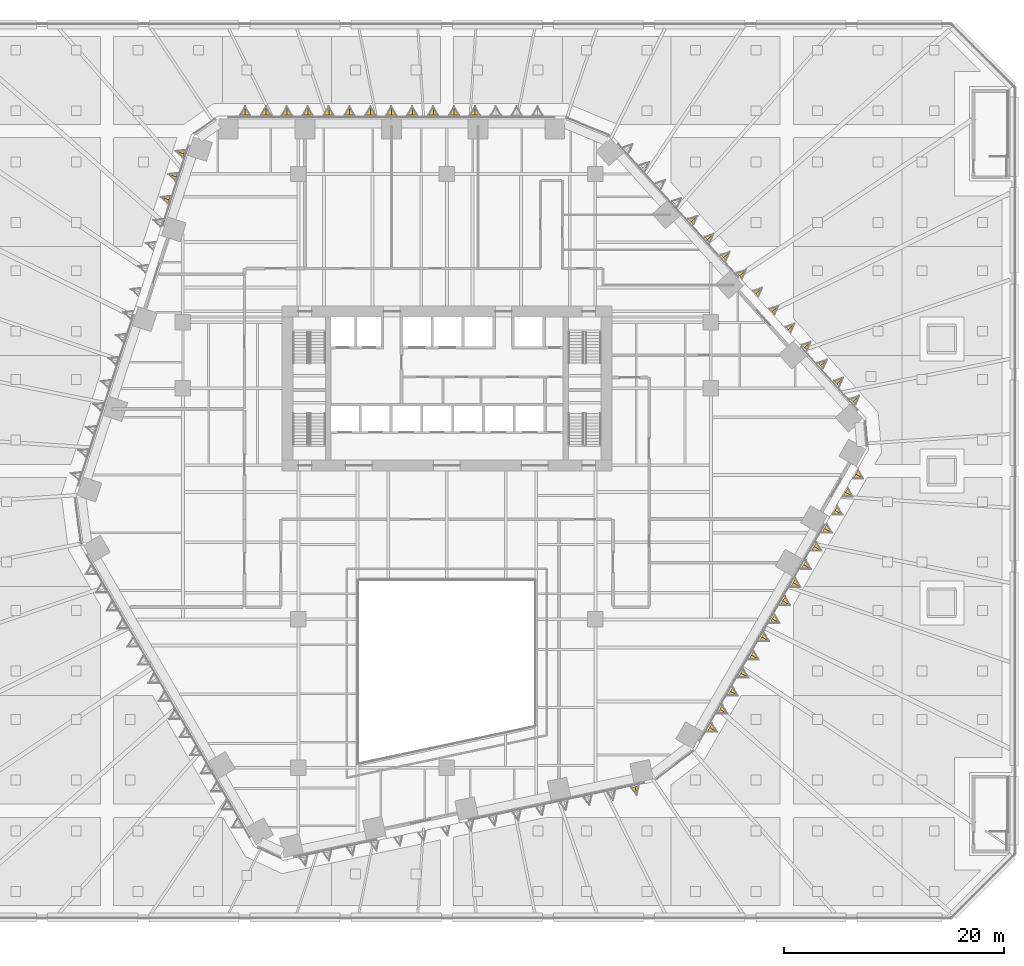
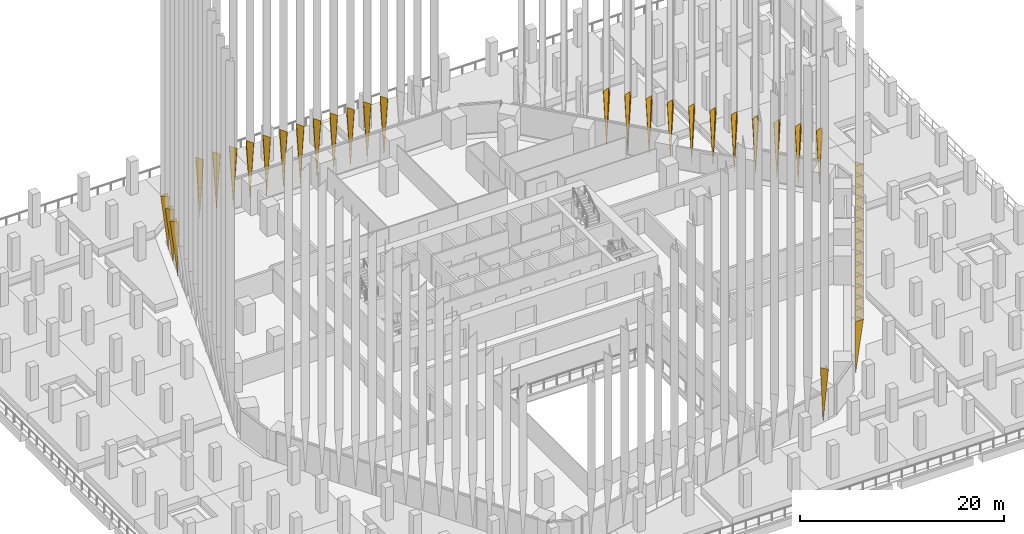
# One storey, part 48 of 51: 42 coverings.
"""IFC4 building model written with IfcOpenShell, lengths in metres."""

from ifc_helpers import new_model, si_unit, direction, frame, origin, place, context, subcontext, project, spatial, polyline, outline, faceted_brep, material, material_profile, profile_set, type_object, element, save


model = new_model("IFC4")

# Units and contexts
model_context = context("Model", 3, precision=1e-05, world=origin(), true_north=direction((0.0, 1.0)))
body_context = subcontext(model_context, "Body", "Model", "MODEL_VIEW")
ifc_project = project(units=[si_unit("LENGTHUNIT", "METRE"), si_unit("AREAUNIT", "SQUARE_METRE"), si_unit("VOLUMEUNIT", "CUBIC_METRE"), si_unit("PLANEANGLEUNIT", "RADIAN"), si_unit("MASSUNIT", "GRAM", prefix="KILO")], contexts=[model_context])

# Site, building, storey
site_placement = place(None, origin())
site = spatial("IfcSite", under=ifc_project, at=site_placement, CompositionType="ELEMENT")
building_placement = place(site_placement, origin())
building = spatial("IfcBuilding", under=site, at=building_placement, Name="Isthmus Gate Tower", CompositionType="ELEMENT")
storey_placement = place(building_placement, frame((0.0, 0.0, 36.0)))
storey = spatial("IfcBuildingStorey", under=building, at=storey_placement, Name="L06", CompositionType="ELEMENT", Elevation=36.0)

# Coverings
ifc_material_1 = material(Name="Structural steel ASTM A572 Gr 50, white paint system", Category="steel")
ifc_material_profile_1 = material_profile(ifc_material_1, outline(polyline([(0.0, -0.356201171875), (0.800048828125, 0.0), (0.0, 0.356201171875), (0.0, 0.3232421875), (0.726318359375, 0.0), (0.0, -0.3232421875), (0.0, -0.356201171875)])), Name="V800")
ifc_profile_set_1 = profile_set([ifc_material_profile_1], Name="Structural steel ASTM A572 Gr 50, white paint system")
covering_type_1 = type_object("IfcCoveringType", Name="FIN V 800 DEEP FOOT", PredefinedType="CLADDING", material=ifc_profile_set_1)
covering_1_placement = place(storey_placement, frame((0.0, 0.0, -36.0)))
element("IfcCovering", 1, at=covering_1_placement, inside=storey, type_object=covering_type_1, Name="FIN", ObjectType="FIN", PredefinedType="CLADDING", context=body_context, shape_type="Brep", body=[
    faceted_brep([(-23.801513671875, 29.17041015625, 42.89990234375), (-24.67236328125, 29.078857421875, 42.89990234375), (-24.021728515625, 28.49267578125, 42.89990234375), (-24.011474609375, 28.52392578125, 42.89990234375), (-24.602294921875, 29.055908203125, 42.89990234375), (-23.811767578125, 29.13916015625, 42.89990234375), (-23.91162109375, 28.83154296875, 36.10009765625)], [[[0, 1, 2, 3, 4, 5]], [[1, 0, 6]], [[2, 1, 6]], [[3, 2, 6]], [[4, 3, 6]], [[5, 4, 6]], [[0, 5, 6]]]),
])
covering_2_placement = place(storey_placement, frame((0.0, 0.0, -36.0)))
element("IfcCovering", 2, at=covering_2_placement, inside=storey, type_object=covering_type_1, Name="FIN", ObjectType="FIN", PredefinedType="CLADDING", context=body_context, shape_type="Brep", body=[
    faceted_brep([(-24.4814453125, 27.078125, 42.89990234375), (-25.352294921875, 26.986572265625, 42.89990234375), (-24.70166015625, 26.400390625, 42.89990234375), (-24.69140625, 26.431640625, 42.89990234375), (-25.2822265625, 26.963623046875, 42.89990234375), (-24.49169921875, 27.046875, 42.89990234375), (-24.591552734375, 26.7392578125, 36.10009765625)], [[[0, 1, 2, 3, 4, 5]], [[1, 0, 6]], [[2, 1, 6]], [[3, 2, 6]], [[4, 3, 6]], [[5, 4, 6]], [[0, 5, 6]]]),
])
covering_3_placement = place(storey_placement, frame((0.0, 0.0, -36.0)))
element("IfcCovering", 3, at=covering_3_placement, inside=storey, type_object=covering_type_1, Name="FIN", ObjectType="FIN", PredefinedType="CLADDING", context=body_context, shape_type="Brep", body=[
    faceted_brep([(-25.1611328125, 24.985595703125, 42.89990234375), (-26.031982421875, 24.89404296875, 42.89990234375), (-25.38134765625, 24.307861328125, 42.89990234375), (-25.37109375, 24.339111328125, 42.89990234375), (-25.9619140625, 24.87109375, 42.89990234375), (-25.17138671875, 24.954345703125, 42.89990234375), (-25.271240234375, 24.646728515625, 36.10009765625)], [[[0, 1, 2, 3, 4, 5]], [[1, 0, 6]], [[2, 1, 6]], [[3, 2, 6]], [[4, 3, 6]], [[5, 4, 6]], [[0, 5, 6]]]),
])
covering_4_placement = place(storey_placement, frame((0.0, 0.0, -36.0)))
element("IfcCovering", 4, at=covering_4_placement, inside=storey, type_object=covering_type_1, Name="FIN", ObjectType="FIN", PredefinedType="CLADDING", context=body_context, shape_type="Brep", body=[
    faceted_brep([(16.765625, -28.794189453125, 42.89990234375), (17.2802734375, -29.502685546875, 42.89990234375), (17.46240234375, -28.646240234375, 42.89990234375), (17.43017578125, -28.653076171875, 42.89990234375), (17.264892578125, -29.4306640625, 42.89990234375), (16.7978515625, -28.787353515625, 42.89990234375), (17.114013671875, -28.72021484375, 36.10009765625)], [[[0, 1, 2, 3, 4, 5]], [[1, 0, 6]], [[2, 1, 6]], [[3, 2, 6]], [[4, 3, 6]], [[5, 4, 6]], [[0, 5, 6]]]),
])
covering_5_placement = place(storey_placement, frame((0.0, 0.0, -36.0)))
element("IfcCovering", 5, at=covering_5_placement, inside=storey, type_object=covering_type_1, Name="FIN", ObjectType="FIN", PredefinedType="CLADDING", context=body_context, shape_type="Brep", body=[
    faceted_brep([(37.162841796875, 6.027587890625, 42.89990234375), (37.51904296875, 6.82763671875, 42.89990234375), (36.686279296875, 6.556884765625, 42.89990234375), (36.708251953125, 6.532470703125, 42.89990234375), (37.46435546875, 6.778076171875, 42.89990234375), (37.140869140625, 6.052001953125, 42.89990234375), (36.924560546875, 6.292236328125, 36.10009765625)], [[[0, 1, 2, 3, 4, 5]], [[1, 0, 6]], [[2, 1, 6]], [[3, 2, 6]], [[4, 3, 6]], [[5, 4, 6]], [[0, 5, 6]]]),
])
covering_6_placement = place(storey_placement, frame((0.0, 0.0, -36.0)))
element("IfcCovering", 6, at=covering_6_placement, inside=storey, type_object=covering_type_1, Name="FIN", ObjectType="FIN", PredefinedType="CLADDING", context=body_context, shape_type="Brep", body=[
    faceted_brep([(35.69091796875, 7.66259765625, 42.89990234375), (36.047119140625, 8.462646484375, 42.89990234375), (35.21435546875, 8.19189453125, 42.89990234375), (35.236328125, 8.16748046875, 42.89990234375), (35.992431640625, 8.4130859375, 42.89990234375), (35.6689453125, 7.68701171875, 42.89990234375), (35.45263671875, 7.92724609375, 36.10009765625)], [[[0, 1, 2, 3, 4, 5]], [[1, 0, 6]], [[2, 1, 6]], [[3, 2, 6]], [[4, 3, 6]], [[5, 4, 6]], [[0, 5, 6]]]),
])
covering_7_placement = place(storey_placement, frame((0.0, 0.0, -36.0)))
element("IfcCovering", 7, at=covering_7_placement, inside=storey, type_object=covering_type_1, Name="FIN", ObjectType="FIN", PredefinedType="CLADDING", context=body_context, shape_type="Brep", body=[
    faceted_brep([(34.21875, 9.297607421875, 42.89990234375), (34.574951171875, 10.09765625, 42.89990234375), (33.7421875, 9.826904296875, 42.89990234375), (33.76416015625, 9.802490234375, 42.89990234375), (34.520263671875, 10.048095703125, 42.89990234375), (34.19677734375, 9.322021484375, 42.89990234375), (33.98046875, 9.562255859375, 36.10009765625)], [[[0, 1, 2, 3, 4, 5]], [[1, 0, 6]], [[2, 1, 6]], [[3, 2, 6]], [[4, 3, 6]], [[5, 4, 6]], [[0, 5, 6]]]),
])
covering_8_placement = place(storey_placement, frame((0.0, 0.0, -36.0)))
element("IfcCovering", 8, at=covering_8_placement, inside=storey, type_object=covering_type_1, Name="FIN", ObjectType="FIN", PredefinedType="CLADDING", context=body_context, shape_type="Brep", body=[
    faceted_brep([(32.74658203125, 10.932373046875, 42.89990234375), (33.102783203125, 11.732421875, 42.89990234375), (32.27001953125, 11.461669921875, 42.89990234375), (32.2919921875, 11.437255859375, 42.89990234375), (33.048095703125, 11.682861328125, 42.89990234375), (32.724609375, 10.956787109375, 42.89990234375), (32.50830078125, 11.197021484375, 36.10009765625)], [[[0, 1, 2, 3, 4, 5]], [[1, 0, 6]], [[2, 1, 6]], [[3, 2, 6]], [[4, 3, 6]], [[5, 4, 6]], [[0, 5, 6]]]),
])
covering_9_placement = place(storey_placement, frame((0.0, 0.0, -36.0)))
element("IfcCovering", 9, at=covering_9_placement, inside=storey, type_object=covering_type_1, Name="FIN", ObjectType="FIN", PredefinedType="CLADDING", context=body_context, shape_type="Brep", body=[
    faceted_brep([(31.2744140625, 12.5673828125, 42.89990234375), (31.630615234375, 13.367431640625, 42.89990234375), (30.7978515625, 13.0966796875, 42.89990234375), (30.81982421875, 13.072265625, 42.89990234375), (31.575927734375, 13.31787109375, 42.89990234375), (31.25244140625, 12.591796875, 42.89990234375), (31.0361328125, 12.83203125, 36.10009765625)], [[[0, 1, 2, 3, 4, 5]], [[1, 0, 6]], [[2, 1, 6]], [[3, 2, 6]], [[4, 3, 6]], [[5, 4, 6]], [[0, 5, 6]]]),
])
covering_10_placement = place(storey_placement, frame((0.0, 0.0, -36.0)))
element("IfcCovering", 10, at=covering_10_placement, inside=storey, type_object=covering_type_1, Name="FIN", ObjectType="FIN", PredefinedType="CLADDING", context=body_context, shape_type="Brep", body=[
    faceted_brep([(29.802490234375, 14.202392578125, 42.89990234375), (30.15869140625, 15.00244140625, 42.89990234375), (29.325927734375, 14.731689453125, 42.89990234375), (29.347900390625, 14.707275390625, 42.89990234375), (30.10400390625, 14.952880859375, 42.89990234375), (29.780517578125, 14.226806640625, 42.89990234375), (29.564208984375, 14.467041015625, 36.10009765625)], [[[0, 1, 2, 3, 4, 5]], [[1, 0, 6]], [[2, 1, 6]], [[3, 2, 6]], [[4, 3, 6]], [[5, 4, 6]], [[0, 5, 6]]]),
])
covering_11_placement = place(storey_placement, frame((0.0, 0.0, -36.0)))
element("IfcCovering", 11, at=covering_11_placement, inside=storey, type_object=covering_type_1, Name="FIN", ObjectType="FIN", PredefinedType="CLADDING", context=body_context, shape_type="Brep", body=[
    faceted_brep([(28.330322265625, 15.837158203125, 42.89990234375), (28.6865234375, 16.63720703125, 42.89990234375), (27.853759765625, 16.366455078125, 42.89990234375), (27.875732421875, 16.342041015625, 42.89990234375), (28.6318359375, 16.587646484375, 42.89990234375), (28.308349609375, 15.861572265625, 42.89990234375), (28.092041015625, 16.101806640625, 36.10009765625)], [[[0, 1, 2, 3, 4, 5]], [[1, 0, 6]], [[2, 1, 6]], [[3, 2, 6]], [[4, 3, 6]], [[5, 4, 6]], [[0, 5, 6]]]),
])
covering_12_placement = place(storey_placement, frame((0.0, 0.0, -36.0)))
element("IfcCovering", 12, at=covering_12_placement, inside=storey, type_object=covering_type_1, Name="FIN", ObjectType="FIN", PredefinedType="CLADDING", context=body_context, shape_type="Brep", body=[
    faceted_brep([(26.858154296875, 17.47216796875, 42.89990234375), (27.21435546875, 18.272216796875, 42.89990234375), (26.381591796875, 18.00146484375, 42.89990234375), (26.403564453125, 17.97705078125, 42.89990234375), (27.15966796875, 18.22265625, 42.89990234375), (26.836181640625, 17.49658203125, 42.89990234375), (26.619873046875, 17.73681640625, 36.10009765625)], [[[0, 1, 2, 3, 4, 5]], [[1, 0, 6]], [[2, 1, 6]], [[3, 2, 6]], [[4, 3, 6]], [[5, 4, 6]], [[0, 5, 6]]]),
])
covering_13_placement = place(storey_placement, frame((0.0, 0.0, -36.0)))
element("IfcCovering", 13, at=covering_13_placement, inside=storey, type_object=covering_type_1, Name="FIN", ObjectType="FIN", PredefinedType="CLADDING", context=body_context, shape_type="Brep", body=[
    faceted_brep([(25.38623046875, 19.10693359375, 42.89990234375), (25.742431640625, 19.906982421875, 42.89990234375), (24.90966796875, 19.63623046875, 42.89990234375), (24.931640625, 19.61181640625, 42.89990234375), (25.687744140625, 19.857421875, 42.89990234375), (25.3642578125, 19.13134765625, 42.89990234375), (25.14794921875, 19.37158203125, 36.10009765625)], [[[0, 1, 2, 3, 4, 5]], [[1, 0, 6]], [[2, 1, 6]], [[3, 2, 6]], [[4, 3, 6]], [[5, 4, 6]], [[0, 5, 6]]]),
])
covering_14_placement = place(storey_placement, frame((0.0, 0.0, -36.0)))
element("IfcCovering", 14, at=covering_14_placement, inside=storey, type_object=covering_type_1, Name="FIN", ObjectType="FIN", PredefinedType="CLADDING", context=body_context, shape_type="Brep", body=[
    faceted_brep([(23.9140625, 20.741943359375, 42.89990234375), (24.270263671875, 21.5419921875, 42.89990234375), (23.4375, 21.271240234375, 42.89990234375), (23.45947265625, 21.246826171875, 42.89990234375), (24.215576171875, 21.492431640625, 42.89990234375), (23.89208984375, 20.766357421875, 42.89990234375), (23.67578125, 21.006591796875, 36.10009765625)], [[[0, 1, 2, 3, 4, 5]], [[1, 0, 6]], [[2, 1, 6]], [[3, 2, 6]], [[4, 3, 6]], [[5, 4, 6]], [[0, 5, 6]]]),
])
covering_15_placement = place(storey_placement, frame((0.0, 0.0, -36.0)))
element("IfcCovering", 15, at=covering_15_placement, inside=storey, type_object=covering_type_1, Name="FIN", ObjectType="FIN", PredefinedType="CLADDING", context=body_context, shape_type="Brep", body=[
    faceted_brep([(22.44189453125, 22.376953125, 42.89990234375), (22.798095703125, 23.177001953125, 42.89990234375), (21.96533203125, 22.90625, 42.89990234375), (21.9873046875, 22.8818359375, 42.89990234375), (22.743408203125, 23.12744140625, 42.89990234375), (22.419921875, 22.4013671875, 42.89990234375), (22.20361328125, 22.6416015625, 36.10009765625)], [[[0, 1, 2, 3, 4, 5]], [[1, 0, 6]], [[2, 1, 6]], [[3, 2, 6]], [[4, 3, 6]], [[5, 4, 6]], [[0, 5, 6]]]),
])
ifc_material_2 = material(Name="Structural steel ASTM A572 Gr 50, white paint system", Category="steel")
ifc_material_profile_2 = material_profile(ifc_material_2, outline(polyline([(0.0, -0.4619140625), (0.800048828125, 0.0), (0.0, 0.4619140625), (0.0, 0.42724609375), (0.739990234375, 0.0), (0.0, -0.42724609375), (0.0, -0.4619140625)])), Name="V800W")
ifc_profile_set_2 = profile_set([ifc_material_profile_2], Name="Structural steel ASTM A572 Gr 50, white paint system")
covering_type_2 = type_object("IfcCoveringType", Name="FIN V 800 DEEP WIDE FOOT", PredefinedType="CLADDING", material=ifc_profile_set_2)
covering_16_placement = place(storey_placement, frame((0.0, 0.0, -36.0)))
element("IfcCovering", 16, at=covering_16_placement, inside=storey, type_object=covering_type_2, Name="FIN", ObjectType="FIN", PredefinedType="CLADDING", context=body_context, shape_type="Brep", body=[
    faceted_brep([(3.024658203125, 32.35009765625, 42.89990234375), (2.562744140625, 33.150146484375, 42.89990234375), (2.100830078125, 32.35009765625, 42.89990234375), (2.135498046875, 32.35009765625, 42.89990234375), (2.562744140625, 33.090087890625, 42.89990234375), (2.989990234375, 32.35009765625, 42.89990234375), (2.562744140625, 32.35009765625, 36.10009765625)], [[[0, 1, 2, 3, 4, 5]], [[1, 0, 6]], [[2, 1, 6]], [[3, 2, 6]], [[4, 3, 6]], [[5, 4, 6]], [[0, 5, 6]]]),
])
covering_17_placement = place(storey_placement, frame((0.0, 0.0, -36.0)))
element("IfcCovering", 17, at=covering_17_placement, inside=storey, type_object=covering_type_2, Name="FIN", ObjectType="FIN", PredefinedType="CLADDING", context=body_context, shape_type="Brep", body=[
    faceted_brep([(1.124755859375, 32.35009765625, 42.89990234375), (0.662841796875, 33.150146484375, 42.89990234375), (0.200927734375, 32.35009765625, 42.89990234375), (0.235595703125, 32.35009765625, 42.89990234375), (0.662841796875, 33.090087890625, 42.89990234375), (1.090087890625, 32.35009765625, 42.89990234375), (0.662841796875, 32.35009765625, 36.10009765625)], [[[0, 1, 2, 3, 4, 5]], [[1, 0, 6]], [[2, 1, 6]], [[3, 2, 6]], [[4, 3, 6]], [[5, 4, 6]], [[0, 5, 6]]]),
])
covering_18_placement = place(storey_placement, frame((0.0, 0.0, -36.0)))
element("IfcCovering", 18, at=covering_18_placement, inside=storey, type_object=covering_type_2, Name="FIN", ObjectType="FIN", PredefinedType="CLADDING", context=body_context, shape_type="Brep", body=[
    faceted_brep([(-0.775390625, 32.35009765625, 42.89990234375), (-1.2373046875, 33.150146484375, 42.89990234375), (-1.69921875, 32.35009765625, 42.89990234375), (-1.66455078125, 32.35009765625, 42.89990234375), (-1.2373046875, 33.090087890625, 42.89990234375), (-0.81005859375, 32.35009765625, 42.89990234375), (-1.2373046875, 32.35009765625, 36.10009765625)], [[[0, 1, 2, 3, 4, 5]], [[1, 0, 6]], [[2, 1, 6]], [[3, 2, 6]], [[4, 3, 6]], [[5, 4, 6]], [[0, 5, 6]]]),
])
covering_19_placement = place(storey_placement, frame((0.0, 0.0, -36.0)))
element("IfcCovering", 19, at=covering_19_placement, inside=storey, type_object=covering_type_2, Name="FIN", ObjectType="FIN", PredefinedType="CLADDING", context=body_context, shape_type="Brep", body=[
    faceted_brep([(-2.67529296875, 32.35009765625, 42.89990234375), (-3.13720703125, 33.150146484375, 42.89990234375), (-3.59912109375, 32.35009765625, 42.89990234375), (-3.564453125, 32.35009765625, 42.89990234375), (-3.13720703125, 33.090087890625, 42.89990234375), (-2.7099609375, 32.35009765625, 42.89990234375), (-3.13720703125, 32.35009765625, 36.10009765625)], [[[0, 1, 2, 3, 4, 5]], [[1, 0, 6]], [[2, 1, 6]], [[3, 2, 6]], [[4, 3, 6]], [[5, 4, 6]], [[0, 5, 6]]]),
])
covering_20_placement = place(storey_placement, frame((0.0, 0.0, -36.0)))
element("IfcCovering", 20, at=covering_20_placement, inside=storey, type_object=covering_type_2, Name="FIN", ObjectType="FIN", PredefinedType="CLADDING", context=body_context, shape_type="Brep", body=[
    faceted_brep([(-4.5751953125, 32.35009765625, 42.89990234375), (-5.037109375, 33.150146484375, 42.89990234375), (-5.4990234375, 32.35009765625, 42.89990234375), (-5.46435546875, 32.35009765625, 42.89990234375), (-5.037109375, 33.090087890625, 42.89990234375), (-4.60986328125, 32.35009765625, 42.89990234375), (-5.037109375, 32.35009765625, 36.10009765625)], [[[0, 1, 2, 3, 4, 5]], [[1, 0, 6]], [[2, 1, 6]], [[3, 2, 6]], [[4, 3, 6]], [[5, 4, 6]], [[0, 5, 6]]]),
])
covering_21_placement = place(storey_placement, frame((0.0, 0.0, -36.0)))
element("IfcCovering", 21, at=covering_21_placement, inside=storey, type_object=covering_type_2, Name="FIN", ObjectType="FIN", PredefinedType="CLADDING", context=body_context, shape_type="Brep", body=[
    faceted_brep([(-6.475341796875, 32.35009765625, 42.89990234375), (-6.937255859375, 33.150146484375, 42.89990234375), (-7.399169921875, 32.35009765625, 42.89990234375), (-7.364501953125, 32.35009765625, 42.89990234375), (-6.937255859375, 33.090087890625, 42.89990234375), (-6.510009765625, 32.35009765625, 42.89990234375), (-6.937255859375, 32.35009765625, 36.10009765625)], [[[0, 1, 2, 3, 4, 5]], [[1, 0, 6]], [[2, 1, 6]], [[3, 2, 6]], [[4, 3, 6]], [[5, 4, 6]], [[0, 5, 6]]]),
])
covering_22_placement = place(storey_placement, frame((0.0, 0.0, -36.0)))
element("IfcCovering", 22, at=covering_22_placement, inside=storey, type_object=covering_type_2, Name="FIN", ObjectType="FIN", PredefinedType="CLADDING", context=body_context, shape_type="Brep", body=[
    faceted_brep([(-8.375244140625, 32.35009765625, 42.89990234375), (-8.837158203125, 33.150146484375, 42.89990234375), (-9.299072265625, 32.35009765625, 42.89990234375), (-9.264404296875, 32.35009765625, 42.89990234375), (-8.837158203125, 33.090087890625, 42.89990234375), (-8.409912109375, 32.35009765625, 42.89990234375), (-8.837158203125, 32.35009765625, 36.10009765625)], [[[0, 1, 2, 3, 4, 5]], [[1, 0, 6]], [[2, 1, 6]], [[3, 2, 6]], [[4, 3, 6]], [[5, 4, 6]], [[0, 5, 6]]]),
])
covering_23_placement = place(storey_placement, frame((0.0, 0.0, -36.0)))
element("IfcCovering", 23, at=covering_23_placement, inside=storey, type_object=covering_type_2, Name="FIN", ObjectType="FIN", PredefinedType="CLADDING", context=body_context, shape_type="Brep", body=[
    faceted_brep([(-10.275390625, 32.35009765625, 42.89990234375), (-10.7373046875, 33.150146484375, 42.89990234375), (-11.19921875, 32.35009765625, 42.89990234375), (-11.16455078125, 32.35009765625, 42.89990234375), (-10.7373046875, 33.090087890625, 42.89990234375), (-10.31005859375, 32.35009765625, 42.89990234375), (-10.7373046875, 32.35009765625, 36.10009765625)], [[[0, 1, 2, 3, 4, 5]], [[1, 0, 6]], [[2, 1, 6]], [[3, 2, 6]], [[4, 3, 6]], [[5, 4, 6]], [[0, 5, 6]]]),
])
covering_24_placement = place(storey_placement, frame((0.0, 0.0, -36.0)))
element("IfcCovering", 24, at=covering_24_placement, inside=storey, type_object=covering_type_2, Name="FIN", ObjectType="FIN", PredefinedType="CLADDING", context=body_context, shape_type="Brep", body=[
    faceted_brep([(-12.17529296875, 32.35009765625, 42.89990234375), (-12.63720703125, 33.150146484375, 42.89990234375), (-13.09912109375, 32.35009765625, 42.89990234375), (-13.064453125, 32.35009765625, 42.89990234375), (-12.63720703125, 33.090087890625, 42.89990234375), (-12.2099609375, 32.35009765625, 42.89990234375), (-12.63720703125, 32.35009765625, 36.10009765625)], [[[0, 1, 2, 3, 4, 5]], [[1, 0, 6]], [[2, 1, 6]], [[3, 2, 6]], [[4, 3, 6]], [[5, 4, 6]], [[0, 5, 6]]]),
])
covering_25_placement = place(storey_placement, frame((0.0, 0.0, -36.0)))
element("IfcCovering", 25, at=covering_25_placement, inside=storey, type_object=covering_type_2, Name="FIN", ObjectType="FIN", PredefinedType="CLADDING", context=body_context, shape_type="Brep", body=[
    faceted_brep([(-14.0751953125, 32.35009765625, 42.89990234375), (-14.537109375, 33.150146484375, 42.89990234375), (-14.9990234375, 32.35009765625, 42.89990234375), (-14.96435546875, 32.35009765625, 42.89990234375), (-14.537109375, 33.090087890625, 42.89990234375), (-14.10986328125, 32.35009765625, 42.89990234375), (-14.537109375, 32.35009765625, 36.10009765625)], [[[0, 1, 2, 3, 4, 5]], [[1, 0, 6]], [[2, 1, 6]], [[3, 2, 6]], [[4, 3, 6]], [[5, 4, 6]], [[0, 5, 6]]]),
])
covering_26_placement = place(storey_placement, frame((0.0, 0.0, -36.0)))
element("IfcCovering", 26, at=covering_26_placement, inside=storey, type_object=covering_type_2, Name="FIN", ObjectType="FIN", PredefinedType="CLADDING", context=body_context, shape_type="Brep", body=[
    faceted_brep([(-15.975341796875, 32.35009765625, 42.89990234375), (-16.437255859375, 33.150146484375, 42.89990234375), (-16.899169921875, 32.35009765625, 42.89990234375), (-16.864501953125, 32.35009765625, 42.89990234375), (-16.437255859375, 33.090087890625, 42.89990234375), (-16.010009765625, 32.35009765625, 42.89990234375), (-16.437255859375, 32.35009765625, 36.10009765625)], [[[0, 1, 2, 3, 4, 5]], [[1, 0, 6]], [[2, 1, 6]], [[3, 2, 6]], [[4, 3, 6]], [[5, 4, 6]], [[0, 5, 6]]]),
])
covering_27_placement = place(storey_placement, frame((0.0, 0.0, -36.0)))
element("IfcCovering", 27, at=covering_27_placement, inside=storey, type_object=covering_type_2, Name="FIN", ObjectType="FIN", PredefinedType="CLADDING", context=body_context, shape_type="Brep", body=[
    faceted_brep([(-17.875244140625, 32.35009765625, 42.89990234375), (-18.337158203125, 33.150146484375, 42.89990234375), (-18.799072265625, 32.35009765625, 42.89990234375), (-18.764404296875, 32.35009765625, 42.89990234375), (-18.337158203125, 33.090087890625, 42.89990234375), (-17.909912109375, 32.35009765625, 42.89990234375), (-18.337158203125, 32.35009765625, 36.10009765625)], [[[0, 1, 2, 3, 4, 5]], [[1, 0, 6]], [[2, 1, 6]], [[3, 2, 6]], [[4, 3, 6]], [[5, 4, 6]], [[0, 5, 6]]]),
])
covering_28_placement = place(storey_placement, frame((0.0, 0.0, -36.0)))
element("IfcCovering", 28, at=covering_28_placement, inside=storey, type_object=covering_type_2, Name="FIN", ObjectType="FIN", PredefinedType="CLADDING", context=body_context, shape_type="Brep", body=[
    faceted_brep([(23.653564453125, -23.730712890625, 42.89990234375), (24.577392578125, -23.730712890625, 42.89990234375), (24.115478515625, -22.930908203125, 42.89990234375), (24.09814453125, -22.960693359375, 42.89990234375), (24.525390625, -23.700927734375, 42.89990234375), (23.6708984375, -23.700927734375, 42.89990234375), (23.884521484375, -23.330810546875, 36.10009765625)], [[[0, 1, 2, 3, 4, 5]], [[1, 0, 6]], [[2, 1, 6]], [[3, 2, 6]], [[4, 3, 6]], [[5, 4, 6]], [[0, 5, 6]]]),
])
covering_29_placement = place(storey_placement, frame((0.0, 0.0, -36.0)))
element("IfcCovering", 29, at=covering_29_placement, inside=storey, type_object=covering_type_2, Name="FIN", ObjectType="FIN", PredefinedType="CLADDING", context=body_context, shape_type="Brep", body=[
    faceted_brep([(24.603515625, -22.085205078125, 42.89990234375), (25.52734375, -22.085205078125, 42.89990234375), (25.0654296875, -21.285400390625, 42.89990234375), (25.048095703125, -21.315185546875, 42.89990234375), (25.475341796875, -22.055419921875, 42.89990234375), (24.620849609375, -22.055419921875, 42.89990234375), (24.83447265625, -21.685302734375, 36.10009765625)], [[[0, 1, 2, 3, 4, 5]], [[1, 0, 6]], [[2, 1, 6]], [[3, 2, 6]], [[4, 3, 6]], [[5, 4, 6]], [[0, 5, 6]]]),
])
covering_30_placement = place(storey_placement, frame((0.0, 0.0, -36.0)))
element("IfcCovering", 30, at=covering_30_placement, inside=storey, type_object=covering_type_2, Name="FIN", ObjectType="FIN", PredefinedType="CLADDING", context=body_context, shape_type="Brep", body=[
    faceted_brep([(25.553466796875, -20.439697265625, 42.89990234375), (26.477294921875, -20.439697265625, 42.89990234375), (26.015380859375, -19.639892578125, 42.89990234375), (25.998046875, -19.669677734375, 42.89990234375), (26.42529296875, -20.409912109375, 42.89990234375), (25.57080078125, -20.409912109375, 42.89990234375), (25.784423828125, -20.039794921875, 36.10009765625)], [[[0, 1, 2, 3, 4, 5]], [[1, 0, 6]], [[2, 1, 6]], [[3, 2, 6]], [[4, 3, 6]], [[5, 4, 6]], [[0, 5, 6]]]),
])
covering_31_placement = place(storey_placement, frame((0.0, 0.0, -36.0)))
element("IfcCovering", 31, at=covering_31_placement, inside=storey, type_object=covering_type_2, Name="FIN", ObjectType="FIN", PredefinedType="CLADDING", context=body_context, shape_type="Brep", body=[
    faceted_brep([(26.503662109375, -18.79443359375, 42.89990234375), (27.427490234375, -18.79443359375, 42.89990234375), (26.965576171875, -17.99462890625, 42.89990234375), (26.9482421875, -18.0244140625, 42.89990234375), (27.37548828125, -18.7646484375, 42.89990234375), (26.52099609375, -18.7646484375, 42.89990234375), (26.734619140625, -18.39453125, 36.10009765625)], [[[0, 1, 2, 3, 4, 5]], [[1, 0, 6]], [[2, 1, 6]], [[3, 2, 6]], [[4, 3, 6]], [[5, 4, 6]], [[0, 5, 6]]]),
])
covering_32_placement = place(storey_placement, frame((0.0, 0.0, -36.0)))
element("IfcCovering", 32, at=covering_32_placement, inside=storey, type_object=covering_type_2, Name="FIN", ObjectType="FIN", PredefinedType="CLADDING", context=body_context, shape_type="Brep", body=[
    faceted_brep([(27.45361328125, -17.14892578125, 42.89990234375), (28.37744140625, -17.14892578125, 42.89990234375), (27.91552734375, -16.34912109375, 42.89990234375), (27.898193359375, -16.37890625, 42.89990234375), (28.325439453125, -17.119140625, 42.89990234375), (27.470947265625, -17.119140625, 42.89990234375), (27.6845703125, -16.7490234375, 36.10009765625)], [[[0, 1, 2, 3, 4, 5]], [[1, 0, 6]], [[2, 1, 6]], [[3, 2, 6]], [[4, 3, 6]], [[5, 4, 6]], [[0, 5, 6]]]),
])
covering_33_placement = place(storey_placement, frame((0.0, 0.0, -36.0)))
element("IfcCovering", 33, at=covering_33_placement, inside=storey, type_object=covering_type_2, Name="FIN", ObjectType="FIN", PredefinedType="CLADDING", context=body_context, shape_type="Brep", body=[
    faceted_brep([(28.403564453125, -15.50341796875, 42.89990234375), (29.327392578125, -15.50341796875, 42.89990234375), (28.865478515625, -14.70361328125, 42.89990234375), (28.84814453125, -14.7333984375, 42.89990234375), (29.275390625, -15.4736328125, 42.89990234375), (28.4208984375, -15.4736328125, 42.89990234375), (28.634521484375, -15.103515625, 36.10009765625)], [[[0, 1, 2, 3, 4, 5]], [[1, 0, 6]], [[2, 1, 6]], [[3, 2, 6]], [[4, 3, 6]], [[5, 4, 6]], [[0, 5, 6]]]),
])
covering_34_placement = place(storey_placement, frame((0.0, 0.0, -36.0)))
element("IfcCovering", 34, at=covering_34_placement, inside=storey, type_object=covering_type_2, Name="FIN", ObjectType="FIN", PredefinedType="CLADDING", context=body_context, shape_type="Brep", body=[
    faceted_brep([(29.353515625, -13.85791015625, 42.89990234375), (30.27734375, -13.85791015625, 42.89990234375), (29.8154296875, -13.05810546875, 42.89990234375), (29.798095703125, -13.087890625, 42.89990234375), (30.225341796875, -13.828125, 42.89990234375), (29.370849609375, -13.828125, 42.89990234375), (29.58447265625, -13.4580078125, 36.10009765625)], [[[0, 1, 2, 3, 4, 5]], [[1, 0, 6]], [[2, 1, 6]], [[3, 2, 6]], [[4, 3, 6]], [[5, 4, 6]], [[0, 5, 6]]]),
])
covering_35_placement = place(storey_placement, frame((0.0, 0.0, -36.0)))
element("IfcCovering", 35, at=covering_35_placement, inside=storey, type_object=covering_type_2, Name="FIN", ObjectType="FIN", PredefinedType="CLADDING", context=body_context, shape_type="Brep", body=[
    faceted_brep([(30.303466796875, -12.212646484375, 42.89990234375), (31.227294921875, -12.212646484375, 42.89990234375), (30.765380859375, -11.412841796875, 42.89990234375), (30.748046875, -11.442626953125, 42.89990234375), (31.17529296875, -12.182861328125, 42.89990234375), (30.32080078125, -12.182861328125, 42.89990234375), (30.534423828125, -11.812744140625, 36.10009765625)], [[[0, 1, 2, 3, 4, 5]], [[1, 0, 6]], [[2, 1, 6]], [[3, 2, 6]], [[4, 3, 6]], [[5, 4, 6]], [[0, 5, 6]]]),
])
covering_36_placement = place(storey_placement, frame((0.0, 0.0, -36.0)))
element("IfcCovering", 36, at=covering_36_placement, inside=storey, type_object=covering_type_2, Name="FIN", ObjectType="FIN", PredefinedType="CLADDING", context=body_context, shape_type="Brep", body=[
    faceted_brep([(31.253662109375, -10.567138671875, 42.89990234375), (32.177490234375, -10.567138671875, 42.89990234375), (31.715576171875, -9.767333984375, 42.89990234375), (31.6982421875, -9.797119140625, 42.89990234375), (32.12548828125, -10.537353515625, 42.89990234375), (31.27099609375, -10.537353515625, 42.89990234375), (31.484619140625, -10.167236328125, 36.10009765625)], [[[0, 1, 2, 3, 4, 5]], [[1, 0, 6]], [[2, 1, 6]], [[3, 2, 6]], [[4, 3, 6]], [[5, 4, 6]], [[0, 5, 6]]]),
])
covering_37_placement = place(storey_placement, frame((0.0, 0.0, -36.0)))
element("IfcCovering", 37, at=covering_37_placement, inside=storey, type_object=covering_type_2, Name="FIN", ObjectType="FIN", PredefinedType="CLADDING", context=body_context, shape_type="Brep", body=[
    faceted_brep([(32.20361328125, -8.921630859375, 42.89990234375), (33.12744140625, -8.921630859375, 42.89990234375), (32.66552734375, -8.121826171875, 42.89990234375), (32.648193359375, -8.151611328125, 42.89990234375), (33.075439453125, -8.891845703125, 42.89990234375), (32.220947265625, -8.891845703125, 42.89990234375), (32.4345703125, -8.521728515625, 36.10009765625)], [[[0, 1, 2, 3, 4, 5]], [[1, 0, 6]], [[2, 1, 6]], [[3, 2, 6]], [[4, 3, 6]], [[5, 4, 6]], [[0, 5, 6]]]),
])
covering_38_placement = place(storey_placement, frame((0.0, 0.0, -36.0)))
element("IfcCovering", 38, at=covering_38_placement, inside=storey, type_object=covering_type_2, Name="FIN", ObjectType="FIN", PredefinedType="CLADDING", context=body_context, shape_type="Brep", body=[
    faceted_brep([(33.153564453125, -7.276123046875, 42.89990234375), (34.077392578125, -7.276123046875, 42.89990234375), (33.615478515625, -6.476318359375, 42.89990234375), (33.59814453125, -6.506103515625, 42.89990234375), (34.025390625, -7.246337890625, 42.89990234375), (33.1708984375, -7.246337890625, 42.89990234375), (33.384521484375, -6.876220703125, 36.10009765625)], [[[0, 1, 2, 3, 4, 5]], [[1, 0, 6]], [[2, 1, 6]], [[3, 2, 6]], [[4, 3, 6]], [[5, 4, 6]], [[0, 5, 6]]]),
])
covering_39_placement = place(storey_placement, frame((0.0, 0.0, -36.0)))
element("IfcCovering", 39, at=covering_39_placement, inside=storey, type_object=covering_type_2, Name="FIN", ObjectType="FIN", PredefinedType="CLADDING", context=body_context, shape_type="Brep", body=[
    faceted_brep([(34.103515625, -5.630859375, 42.89990234375), (35.02734375, -5.630859375, 42.89990234375), (34.5654296875, -4.8310546875, 42.89990234375), (34.548095703125, -4.86083984375, 42.89990234375), (34.975341796875, -5.60107421875, 42.89990234375), (34.120849609375, -5.60107421875, 42.89990234375), (34.33447265625, -5.23095703125, 36.10009765625)], [[[0, 1, 2, 3, 4, 5]], [[1, 0, 6]], [[2, 1, 6]], [[3, 2, 6]], [[4, 3, 6]], [[5, 4, 6]], [[0, 5, 6]]]),
])
covering_40_placement = place(storey_placement, frame((0.0, 0.0, -36.0)))
element("IfcCovering", 40, at=covering_40_placement, inside=storey, type_object=covering_type_2, Name="FIN", ObjectType="FIN", PredefinedType="CLADDING", context=body_context, shape_type="Brep", body=[
    faceted_brep([(35.053466796875, -3.9853515625, 42.89990234375), (35.977294921875, -3.9853515625, 42.89990234375), (35.515380859375, -3.185546875, 42.89990234375), (35.498046875, -3.21533203125, 42.89990234375), (35.92529296875, -3.95556640625, 42.89990234375), (35.07080078125, -3.95556640625, 42.89990234375), (35.284423828125, -3.58544921875, 36.10009765625)], [[[0, 1, 2, 3, 4, 5]], [[1, 0, 6]], [[2, 1, 6]], [[3, 2, 6]], [[4, 3, 6]], [[5, 4, 6]], [[0, 5, 6]]]),
])
covering_41_placement = place(storey_placement, frame((0.0, 0.0, -36.0)))
element("IfcCovering", 41, at=covering_41_placement, inside=storey, type_object=covering_type_2, Name="FIN", ObjectType="FIN", PredefinedType="CLADDING", context=body_context, shape_type="Brep", body=[
    faceted_brep([(36.003662109375, -2.33984375, 42.89990234375), (36.927490234375, -2.33984375, 42.89990234375), (36.465576171875, -1.5400390625, 42.89990234375), (36.4482421875, -1.56982421875, 42.89990234375), (36.87548828125, -2.31005859375, 42.89990234375), (36.02099609375, -2.31005859375, 42.89990234375), (36.234619140625, -1.93994140625, 36.10009765625)], [[[0, 1, 2, 3, 4, 5]], [[1, 0, 6]], [[2, 1, 6]], [[3, 2, 6]], [[4, 3, 6]], [[5, 4, 6]], [[0, 5, 6]]]),
])
covering_42_placement = place(storey_placement, frame((0.0, 0.0, -36.0)))
element("IfcCovering", 42, at=covering_42_placement, inside=storey, type_object=covering_type_2, Name="FIN", ObjectType="FIN", PredefinedType="CLADDING", context=body_context, shape_type="Brep", body=[
    faceted_brep([(36.95361328125, -0.6943359375, 42.89990234375), (37.87744140625, -0.6943359375, 42.89990234375), (37.41552734375, 0.10546875, 42.89990234375), (37.398193359375, 0.07568359375, 42.89990234375), (37.825439453125, -0.66455078125, 42.89990234375), (36.970947265625, -0.66455078125, 42.89990234375), (37.1845703125, -0.29443359375, 36.10009765625)], [[[0, 1, 2, 3, 4, 5]], [[1, 0, 6]], [[2, 1, 6]], [[3, 2, 6]], [[4, 3, 6]], [[5, 4, 6]], [[0, 5, 6]]]),
])

save(model, "model.ifc")
